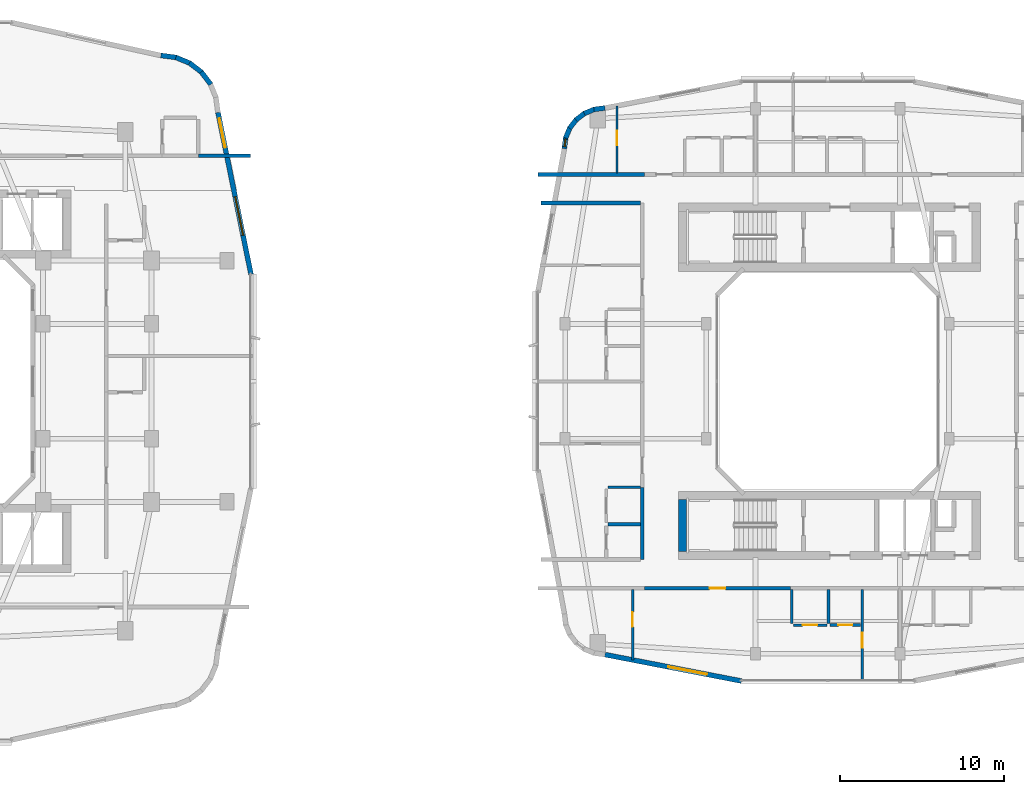
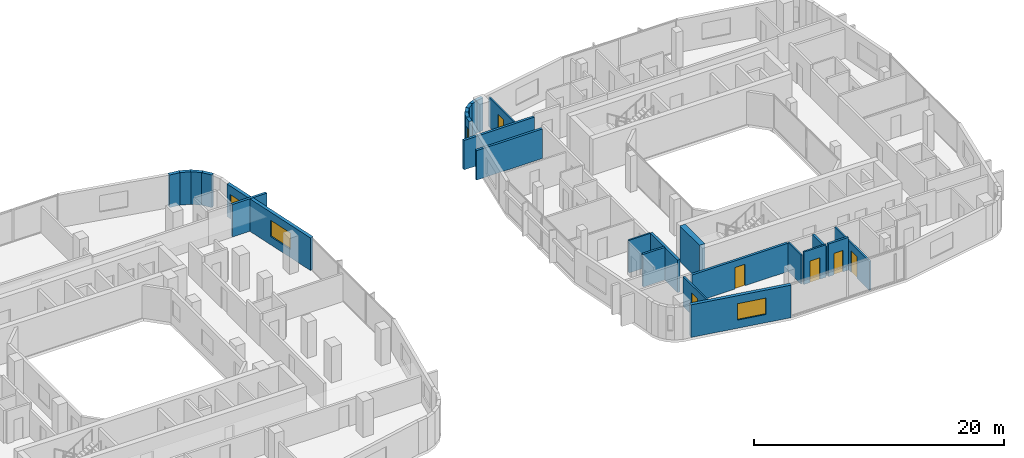
# One storey, part 16 of 25: 27 walls, 6 doors, 4 windows, 10 openings.
"""IFC4 building model written with IfcOpenShell, lengths in metres."""

from ifc_helpers import new_model, si_unit, derived_unit, direction, frame, frame_2d, origin, place, context, subcontext, project, spatial, rectangle, extrude, material, layer, layer_set, type_object, element, fill, save


model = new_model("IFC4")

# Units and contexts
model_context = context("Model", 3, precision=1e-05, world=origin(), true_north=direction((0.0, 1.0)))
body_context = subcontext(model_context, "Body", "Model", "MODEL_VIEW")
ifc_project = project(units=[si_unit("LENGTHUNIT", "METRE"), si_unit("AREAUNIT", "SQUARE_METRE"), si_unit("VOLUMEUNIT", "CUBIC_METRE"), si_unit("PLANEANGLEUNIT", "RADIAN"), si_unit("MASSUNIT", "GRAM", prefix="KILO"), derived_unit("THERMALTRANSMITTANCEUNIT", [(si_unit("POWERUNIT", "WATT"), 1), (si_unit("LENGTHUNIT", "METRE"), -2), (si_unit("THERMODYNAMICTEMPERATUREUNIT", "KELVIN"), -1)])], contexts=[model_context])

# Site, building, storey
site_placement = place(None, origin())
site = spatial("IfcSite", under=ifc_project, at=site_placement, CompositionType="ELEMENT")
building_placement = place(site_placement, origin())
building = spatial("IfcBuilding", under=site, at=building_placement, Name="Kivonza Crest Hotel", CompositionType="ELEMENT")
storey_placement = place(building_placement, frame((0.0, 0.0, 87.0)))
storey = spatial("IfcBuildingStorey", under=building, at=storey_placement, Name="L23", CompositionType="ELEMENT", Elevation=87.0)

# Walls
ifc_material_1 = material(Name="Autoclaved aerated concrete blockwork", Category="masonry")
ifc_layer_1 = layer(ifc_material_1, 0.219970703125)
ifc_layer_set_1 = layer_set([ifc_layer_1], Name="Autoclaved aerated concrete blockwork")
wall_type_1 = type_object("IfcWallType", Name="WL-ACOU-220", PredefinedType="SOLIDWALL", material=ifc_layer_set_1)
wall_1_placement = place(storey_placement, frame((38.64990234375, 38.75, 0.0), z_axis=(0.0, 0.0, 1.0), x_axis=(1.0, 0.0, 0.0)))
element("IfcWall", 1, at=wall_1_placement, inside=storey, type_object=wall_type_1, Name="L23 interior partition WA-L23-N02-XCORR", PredefinedType="SOLIDWALL", context=body_context, shape_type="SweptSolid", body=[
    extrude(rectangle(XDim=3.190185546875, YDim=0.219970703125, at=frame_2d((1.59521484375, 0.0))), origin(), (0.0, 0.0, 1.0), 3.179931640625),
])
wall_2_placement = place(storey_placement, frame((59.360107421875, 37.60009765625, 0.0), z_axis=(0.0, 0.0, 1.0), x_axis=(1.0, 0.0, 0.0)))
element("IfcWall", 2, at=wall_2_placement, inside=storey, type_object=wall_type_1, Name="L23 interior partition WA-L23-A01-LCORR", PredefinedType="SOLIDWALL", context=body_context, shape_type="SweptSolid", body=[
    extrude(rectangle(XDim=6.489990234375, YDim=0.219970703125, at=frame_2d((3.2451171875, 0.0))), origin(), (0.0, 0.0, 1.0), 2.875),
])

# Wall, opening, door
wall_3_placement = place(storey_placement, frame((65.85009765625, 12.39990234375, 0.0), z_axis=(0.0, 0.0, 1.0), x_axis=(1.0, 0.0, 0.0)))
wall_3 = element("IfcWall", 3, at=wall_3_placement, inside=storey, type_object=wall_type_1, Name="L23 interior partition WA-L23-A03-MCORR", PredefinedType="SOLIDWALL", context=body_context, shape_type="SweptSolid", body=[
    extrude(rectangle(XDim=8.869873046875, YDim=0.219970703125, at=frame_2d((4.43505859375, 0.0))), origin(), (0.0, 0.0, 1.0), 2.7548828125),
])
opening_1_placement = place(wall_3_placement, frame((3.9599609375, 0.0, 0.0)))
opening_1 = element("IfcOpeningElement", 4, at=opening_1_placement, cuts=wall_3, Name="Opening DU-60", PredefinedType="OPENING", context=body_context, shape_type="SweptSolid", body=[
    extrude(rectangle(XDim=0.949951171875, YDim=2.10009765625, at=frame_2d((0.47509765625, 1.050048828125))), frame((0.0, 0.1201171875, 0.0), z_axis=(0.0, -1.0, 0.0), x_axis=(1.0, 0.0, 0.0)), (0.0, 0.0, 1.0), 0.239990234375),
])
ifc_material_2 = material(Name="Hardwood timber oak", Category="wood")
door_type_1 = type_object("IfcDoorType", Name="DR-UNIT-950", OperationType="NOTDEFINED", PredefinedType="DOOR", material=ifc_material_2)
door_1_placement = place(opening_1_placement, frame((0.949951171875, 0.0, 0.0), z_axis=(0.0, 0.0, 1.0), x_axis=(-1.0, 0.0, 0.0)))
door_1 = element("IfcDoor", 5, at=door_1_placement, inside=storey, type_object=door_type_1, Name="L23 A03 apartment entrance fire door", OperationType="SINGLE_SWING_LEFT", OverallHeight=2.10009765625, OverallWidth=0.949951171875, PredefinedType="DOOR", context=body_context, shape_type="SweptSolid", body=[
    extrude(rectangle(XDim=0.949951171875, YDim=2.10009765625, at=frame_2d((0.47509765625, 1.050048828125))), frame((0.0, 0.02490234375, 0.0), z_axis=(0.0, -1.0, 0.0), x_axis=(1.0, 0.0, 0.0)), (0.0, 0.0, 1.0), 0.050048828125),
])
fill(opening_1, door_1)

# Walls
wall_4_placement = place(storey_placement, frame((59.52001953125, 35.860107421875, 0.0), z_axis=(0.0, 0.0, 1.0), x_axis=(1.0, 0.0, 0.0)))
element("IfcWall", 6, at=wall_4_placement, inside=storey, type_object=wall_type_1, Name="L23 interior partition WA-L23-T2W-ENDN", PredefinedType="SOLIDWALL", context=body_context, shape_type="SweptSolid", body=[
    extrude(rectangle(XDim=6.080078125, YDim=0.219970703125, at=frame_2d((3.0400390625, 0.0))), origin(), (0.0, 0.0, 1.0), 2.875),
])
wall_5_placement = place(storey_placement, frame((65.699951171875, 14.139892578125, 0.0), z_axis=(0.0, 0.0, 1.0), x_axis=(0.0, 1.0, 0.0)))
element("IfcWall", 7, at=wall_5_placement, inside=storey, type_object=wall_type_1, Name="L23 interior partition WA-L23-A05-BCORR", PredefinedType="SOLIDWALL", context=body_context, shape_type="SweptSolid", body=[
    extrude(rectangle(XDim=4.400146484375, YDim=0.219970703125, at=frame_2d((2.2001953125, 0.0))), origin(), (0.0, 0.0, 1.0), 3.179931640625),
])
ifc_material_3 = material(Name="Concrete C60/75", Category="concrete")
ifc_layer_2 = layer(ifc_material_3, 0.5)
ifc_layer_set_2 = layer_set([ifc_layer_2], Name="Concrete C60/75")
wall_type_2 = type_object("IfcWallType", Name="WL-CORE-500", PredefinedType="SHEAR", material=ifc_layer_set_2)
wall_6_placement = place(storey_placement, frame((68.14990234375, 14.639892578125, 0.0), z_axis=(0.0, 0.0, 1.0), x_axis=(0.0, 1.0, 0.0)))
element("IfcWall", 8, at=wall_6_placement, inside=storey, type_object=wall_type_2, Name="Core wall T2-S West L23", PredefinedType="SHEAR", context=body_context, shape_type="SweptSolid", body=[
    extrude(rectangle(XDim=3.16015625, YDim=0.5, at=frame_2d((1.580078125, 0.0))), origin(), (0.0, 0.0, 1.0), 3.5),
])

# Wall, openings, windows
ifc_material_4 = material(Name="Precast concrete C40/50", Category="concrete")
ifc_layer_3 = layer(ifc_material_4, 0.300048828125)
ifc_layer_set_3 = layer_set([ifc_layer_3], Name="Precast concrete C40/50")
wall_type_3 = type_object("IfcWallType", Name="WL-EXT-300", PredefinedType="STANDARD", material=ifc_layer_set_3)
wall_7_placement = place(storey_placement, frame((41.864013671875, 31.51611328125, 0.0), z_axis=(0.0, 0.0, 1.0), x_axis=(-0.199990901713, 0.979797754249, 0.0)))
wall_7 = element("IfcWall", 9, at=wall_7_placement, inside=storey, type_object=wall_type_3, Name="L23 T1 exterior insulated wall 18", PredefinedType="STANDARD", context=body_context, shape_type="SweptSolid", body=[
    extrude(rectangle(XDim=10.065185546875, YDim=0.300048828125, at=frame_2d((5.03271484375, 0.0))), origin(), (0.0, 0.0, 1.0), 3.179931640625),
])
opening_2_placement = place(wall_7_placement, frame((2.428955078125, 0.0, 0.800048828125)))
opening_2 = element("IfcOpeningElement", 10, at=opening_2_placement, cuts=wall_7, Name="Opening WN-05", PredefinedType="OPENING", context=body_context, shape_type="SweptSolid", body=[
    extrude(rectangle(XDim=2.39990234375, YDim=1.60009765625, at=frame_2d((1.199951171875, 0.800048828125))), frame((0.0, 0.16015625, 0.0), z_axis=(0.0, -1.0, 0.0), x_axis=(1.0, 0.0, 0.0)), (0.0, 0.0, 1.0), 0.320068359375),
])
opening_3_placement = place(wall_7_placement, frame((7.886962890625, 0.0, 0.85009765625)))
opening_3 = element("IfcOpeningElement", 11, at=opening_3_placement, cuts=wall_7, Name="Opening WN-03", PredefinedType="OPENING", context=body_context, shape_type="SweptSolid", body=[
    extrude(rectangle(XDim=1.800048828125, YDim=1.5, at=frame_2d((0.89990234375, 0.75))), frame((0.0, 0.16015625, 0.0), z_axis=(0.0, -1.0, 0.0), x_axis=(1.0, 0.0, 0.0)), (0.0, 0.0, 1.0), 0.320068359375),
])
ifc_material_5 = material(Name="Thermally broken bronze aluminium and low-E double glazing", Category="aluminium")
window_type_1 = type_object("IfcWindowType", Name="WN-180x150", PartitioningType="DOUBLE_PANEL_VERTICAL", PredefinedType="WINDOW", material=ifc_material_5)
window_1_placement = place(opening_3_placement, origin())
window_1 = element("IfcWindow", 12, at=window_1_placement, inside=storey, type_object=window_type_1, Name="L23 T1 facade window 18 bay 2", OverallHeight=1.5, OverallWidth=1.800048828125, PartitioningType="SINGLE_PANEL", PredefinedType="WINDOW", context=body_context, shape_type="SweptSolid", body=[
    extrude(rectangle(XDim=1.800048828125, YDim=1.5, at=frame_2d((0.89990234375, 0.75))), frame((0.0, 0.030029296875, 0.0), z_axis=(0.0, -1.0, 0.0), x_axis=(1.0, 0.0, 0.0)), (0.0, 0.0, 1.0), 0.06005859375),
])
fill(opening_3, window_1)
window_type_2 = type_object("IfcWindowType", Name="WN-240x160", PartitioningType="TRIPLE_PANEL_VERTICAL", PredefinedType="WINDOW", material=ifc_material_5)
window_2_placement = place(opening_2_placement, origin())
window_2 = element("IfcWindow", 13, at=window_2_placement, inside=storey, type_object=window_type_2, Name="L23 T1 facade window 18 bay 1", OverallHeight=1.60009765625, OverallWidth=2.39990234375, PartitioningType="SINGLE_PANEL", PredefinedType="WINDOW", context=body_context, shape_type="SweptSolid", body=[
    extrude(rectangle(XDim=2.39990234375, YDim=1.60009765625, at=frame_2d((1.199951171875, 0.800048828125))), frame((0.0, 0.030029296875, 0.0), z_axis=(0.0, -1.0, 0.0), x_axis=(1.0, 0.0, 0.0)), (0.0, 0.0, 1.0), 0.06005859375),
])
fill(opening_2, window_2)

# Walls
wall_8_placement = place(storey_placement, frame((39.4140625, 43.089111328125, 0.0), z_axis=(0.0, 0.0, 1.0), x_axis=(-0.608474481025, 0.793573440799, 0.0)))
element("IfcWall", 14, at=wall_8_placement, inside=storey, type_object=wall_type_3, Name="L23 T1 exterior insulated wall 21", PredefinedType="STANDARD", context=body_context, shape_type="SweptSolid", body=[
    extrude(rectangle(XDim=0.954833984375, YDim=0.300048828125, at=frame_2d((0.4775390625, 0.0))), origin(), (0.0, 0.0, 1.0), 3.179931640625),
])
wall_9_placement = place(storey_placement, frame((38.875, 43.81201171875, 0.0), z_axis=(0.0, 0.0, 1.0), x_axis=(-0.793668068435, 0.608351047625, 0.0)))
element("IfcWall", 15, at=wall_9_placement, inside=storey, type_object=wall_type_3, Name="L23 T1 exterior insulated wall 22", PredefinedType="STANDARD", context=body_context, shape_type="SweptSolid", body=[
    extrude(rectangle(XDim=0.955078125, YDim=0.300048828125, at=frame_2d((0.4775390625, 0.0))), origin(), (0.0, 0.0, 1.0), 3.179931640625),
])
wall_10_placement = place(storey_placement, frame((38.166015625, 44.368896484375, 0.0), z_axis=(0.0, 0.0, 1.0), x_axis=(-0.924019948111, 0.382344263057, 0.0)))
element("IfcWall", 16, at=wall_10_placement, inside=storey, type_object=wall_type_3, Name="L23 T1 exterior insulated wall 23", PredefinedType="STANDARD", context=body_context, shape_type="SweptSolid", body=[
    extrude(rectangle(XDim=0.95458984375, YDim=0.300048828125, at=frame_2d((0.477294921875, 0.0))), origin(), (0.0, 0.0, 1.0), 3.179931640625),
])
wall_11_placement = place(storey_placement, frame((37.3369140625, 44.72509765625, 0.0), z_axis=(0.0, 0.0, 1.0), x_axis=(-0.991454295543, 0.130454512571, 0.0)))
element("IfcWall", 17, at=wall_11_placement, inside=storey, type_object=wall_type_3, Name="L23 T1 exterior insulated wall 24", PredefinedType="STANDARD", context=body_context, shape_type="SweptSolid", body=[
    extrude(rectangle(XDim=0.97314453125, YDim=0.300048828125, at=frame_2d((0.486572265625, 0.0))), origin(), (0.0, 0.0, 1.0), 3.179931640625),
])

# Wall, opening, window
wall_12_placement = place(storey_placement, frame((63.4208984375, 8.34912109375, 0.0), z_axis=(0.0, 0.0, 1.0), x_axis=(0.981750199588, -0.190175039396, 0.0)))
wall_12 = element("IfcWall", 18, at=wall_12_placement, inside=storey, type_object=wall_type_3, Name="L23 T2 exterior insulated wall 7", PredefinedType="STANDARD", context=body_context, shape_type="SweptSolid", body=[
    extrude(rectangle(XDim=8.476806640625, YDim=0.300048828125, at=frame_2d((4.23828125, 0.0))), origin(), (0.0, 0.0, 1.0), 3.179931640625),
])
opening_4_placement = place(wall_12_placement, frame((3.93701171875, 0.0, 0.800048828125)))
opening_4 = element("IfcOpeningElement", 19, at=opening_4_placement, cuts=wall_12, Name="Opening WN-05", PredefinedType="OPENING", context=body_context, shape_type="SweptSolid", body=[
    extrude(rectangle(XDim=2.39990234375, YDim=1.60009765625, at=frame_2d((1.199951171875, 0.800048828125))), frame((0.0, 0.16015625, 0.0), z_axis=(0.0, -1.0, 0.0), x_axis=(1.0, 0.0, 0.0)), (0.0, 0.0, 1.0), 0.320068359375),
])
window_3_placement = place(opening_4_placement, origin())
window_3 = element("IfcWindow", 20, at=window_3_placement, inside=storey, type_object=window_type_2, Name="L23 T2 facade window 7", OverallHeight=1.60009765625, OverallWidth=2.39990234375, PartitioningType="SINGLE_PANEL", PredefinedType="WINDOW", context=body_context, shape_type="SweptSolid", body=[
    extrude(rectangle(XDim=2.39990234375, YDim=1.60009765625, at=frame_2d((1.199951171875, 0.800048828125))), frame((0.0, 0.030029296875, 0.0), z_axis=(0.0, -1.0, 0.0), x_axis=(1.0, 0.0, 0.0)), (0.0, 0.0, 1.0), 0.06005859375),
])
fill(opening_4, window_3)

# Walls
wall_13_placement = place(storey_placement, frame((63.427978515625, 41.652099609375, 0.0), z_axis=(0.0, 0.0, 1.0), x_axis=(-0.991293937098, -0.131667498923, 0.0)))
element("IfcWall", 21, at=wall_13_placement, inside=storey, type_object=wall_type_3, Name="L23 T2 exterior insulated wall 28", PredefinedType="STANDARD", context=body_context, shape_type="SweptSolid", body=[
    extrude(rectangle(XDim=0.6767578125, YDim=0.300048828125, at=frame_2d((0.33837890625, 0.0))), origin(), (0.0, 0.0, 1.0), 3.179931640625),
])
wall_14_placement = place(storey_placement, frame((62.806884765625, 41.58203125, 0.0), z_axis=(0.0, 0.0, 1.0), x_axis=(-0.924042561464, -0.382289608286, 0.0)))
element("IfcWall", 22, at=wall_14_placement, inside=storey, type_object=wall_type_3, Name="L23 T2 exterior insulated wall 29", PredefinedType="STANDARD", context=body_context, shape_type="SweptSolid", body=[
    extrude(rectangle(XDim=0.693603515625, YDim=0.300048828125, at=frame_2d((0.3466796875, 0.0))), origin(), (0.0, 0.0, 1.0), 3.179931640625),
])
for number, where, z_axis, x_axis, name in (
    (23, (62.2109375, 41.347900390625, 0.0), (0.0, 0.0, 1.0), (-0.792807092876, -0.609472651958, 0.0), "L23 T2 exterior insulated wall 30"),
    (24, (61.696044921875, 40.967041015625, 0.0), (0.0, 0.0, 1.0), (-0.609693758543, -0.792637067512, 0.0), "L23 T2 exterior insulated wall 31"),
    (25, (61.297119140625, 40.466064453125, 0.0), (0.0, 0.0, 1.0), (-0.382165294877, -0.924093981904, 0.0), "L23 T2 exterior insulated wall 32"),
):
    element("IfcWall", number, at=place(storey_placement, frame(where, z_axis=z_axis, x_axis=x_axis)), inside=storey, type_object=wall_type_3, Name=name, PredefinedType="STANDARD", context=body_context, shape_type="SweptSolid", body=[
        extrude(rectangle(XDim=0.69384765625, YDim=0.300048828125, at=frame_2d((0.346923828125, 0.0))), origin(), (0.0, 0.0, 1.0), 3.179931640625),
    ])

# Wall, opening, window
wall_15_placement = place(storey_placement, frame((61.041015625, 39.8779296875, 0.0), z_axis=(0.0, 0.0, 1.0), x_axis=(-0.130658543777, -0.991427427974, 0.0)))
wall_15 = element("IfcWall", 26, at=wall_15_placement, inside=storey, type_object=wall_type_3, Name="L23 T2 exterior insulated wall 33", PredefinedType="STANDARD", context=body_context, shape_type="SweptSolid", body=[
    extrude(rectangle(XDim=0.7119140625, YDim=0.300048828125, at=frame_2d((0.35595703125, 0.0))), origin(), (0.0, 0.0, 1.0), 3.179931640625),
])
opening_5_placement = place(wall_15_placement, frame((0.131103515625, 0.0, 0.85009765625)))
opening_5 = element("IfcOpeningElement", 27, at=opening_5_placement, cuts=wall_15, Name="Opening WN-11", PredefinedType="OPENING", context=body_context, shape_type="SweptSolid", body=[
    extrude(rectangle(XDim=0.449951171875, YDim=1.5, at=frame_2d((0.22509765625, 0.75))), frame((0.0, 0.16015625, 0.0), z_axis=(0.0, -1.0, 0.0), x_axis=(1.0, 0.0, 0.0)), (0.0, 0.0, 1.0), 0.320068359375),
])
window_type_3 = type_object("IfcWindowType", Name="WN-045x150", PartitioningType="SINGLE_PANEL", PredefinedType="WINDOW", material=ifc_material_5)
window_4_placement = place(opening_5_placement, origin())
window_4 = element("IfcWindow", 28, at=window_4_placement, inside=storey, type_object=window_type_3, Name="L23 corner vision window 1", OverallHeight=1.5, OverallWidth=0.449951171875, PartitioningType="SINGLE_PANEL", PredefinedType="WINDOW", context=body_context, shape_type="SweptSolid", body=[
    extrude(rectangle(XDim=0.449951171875, YDim=1.5, at=frame_2d((0.22509765625, 0.75))), frame((0.0, 0.030029296875, 0.0), z_axis=(0.0, -1.0, 0.0), x_axis=(1.0, 0.0, 0.0)), (0.0, 0.0, 1.0), 0.06005859375),
])
fill(opening_5, window_4)

# Wall, opening, door
ifc_material_6 = material(Name="Twin-stud acoustic gypsum board partition", Category="gypsum")
ifc_layer_4 = layer(ifc_material_6, 0.14990234375)
ifc_layer_set_4 = layer_set([ifc_layer_4], Name="Twin-stud acoustic gypsum board partition")
wall_type_4 = type_object("IfcWallType", Name="WL-PART-150", PredefinedType="PARTITIONING", material=ifc_layer_set_4)
wall_16_placement = place(storey_placement, frame((64.159912109375, 37.699951171875, 0.0), z_axis=(0.0, 0.0, 1.0), x_axis=(0.0, 1.0, 0.0)))
wall_16 = element("IfcWall", 29, at=wall_16_placement, inside=storey, type_object=wall_type_4, Name="L23 interior partition WP-L23-A01-BDW1", PredefinedType="PARTITIONING", context=body_context, shape_type="SweptSolid", body=[
    extrude(rectangle(XDim=4.0859375, YDim=0.14990234375, at=frame_2d((2.04296875, 0.0))), origin(), (0.0, 0.0, 1.0), 2.875),
])
opening_6_placement = place(wall_16_placement, frame((1.679931640625, 0.0, 0.0)))
opening_6 = element("IfcOpeningElement", 30, at=opening_6_placement, cuts=wall_16, Name="Opening DI-90", PredefinedType="OPENING", context=body_context, shape_type="SweptSolid", body=[
    extrude(rectangle(XDim=0.89990234375, YDim=2.10009765625, at=frame_2d((0.449951171875, 1.050048828125))), frame((0.0, 0.0849609375, 0.0), z_axis=(0.0, -1.0, 0.0), x_axis=(1.0, 0.0, 0.0)), (0.0, 0.0, 1.0), 0.169921875),
])
door_type_2 = type_object("IfcDoorType", Name="DR-INT-900", OperationType="NOTDEFINED", PredefinedType="DOOR", material=ifc_material_2)
door_2_placement = place(opening_6_placement, origin())
door_2 = element("IfcDoor", 31, at=door_2_placement, inside=storey, type_object=door_type_2, Name="L23 A01 bedroom 1 door", OperationType="SINGLE_SWING_RIGHT", OverallHeight=2.10009765625, OverallWidth=0.89990234375, PredefinedType="DOOR", context=body_context, shape_type="SweptSolid", body=[
    extrude(rectangle(XDim=0.89990234375, YDim=2.10009765625, at=frame_2d((0.449951171875, 1.050048828125))), frame((0.0, 0.02490234375, 0.0), z_axis=(0.0, -1.0, 0.0), x_axis=(1.0, 0.0, 0.0)), (0.0, 0.0, 1.0), 0.050048828125),
])
fill(opening_6, door_2)

wall_17_placement = place(storey_placement, frame((65.110107421875, 8.030029296875, 0.0), z_axis=(0.0, 0.0, 1.0), x_axis=(0.0, 1.0, 0.0)))
wall_17 = element("IfcWall", 32, at=wall_17_placement, inside=storey, type_object=wall_type_4, Name="L23 interior partition WP-L23-A03-BDW1", PredefinedType="PARTITIONING", context=body_context, shape_type="SweptSolid", body=[
    extrude(rectangle(XDim=4.27001953125, YDim=0.14990234375, at=frame_2d((2.135009765625, 0.0))), origin(), (0.0, 0.0, 1.0), 2.875),
])
opening_7_placement = place(wall_17_placement, frame((2.010009765625, 0.0, 0.0)))
opening_7 = element("IfcOpeningElement", 33, at=opening_7_placement, cuts=wall_17, Name="Opening DI-90", PredefinedType="OPENING", context=body_context, shape_type="SweptSolid", body=[
    extrude(rectangle(XDim=0.89990234375, YDim=2.10009765625, at=frame_2d((0.449951171875, 1.050048828125))), frame((0.0, 0.0849609375, 0.0), z_axis=(0.0, -1.0, 0.0), x_axis=(1.0, 0.0, 0.0)), (0.0, 0.0, 1.0), 0.169921875),
])
door_3_placement = place(opening_7_placement, origin())
door_3 = element("IfcDoor", 34, at=door_3_placement, inside=storey, type_object=door_type_2, Name="L23 A03 bedroom 1 door", OperationType="SINGLE_SWING_RIGHT", OverallHeight=2.10009765625, OverallWidth=0.89990234375, PredefinedType="DOOR", context=body_context, shape_type="SweptSolid", body=[
    extrude(rectangle(XDim=0.89990234375, YDim=2.10009765625, at=frame_2d((0.449951171875, 1.050048828125))), frame((0.0, 0.02490234375, 0.0), z_axis=(0.0, -1.0, 0.0), x_axis=(1.0, 0.0, 0.0)), (0.0, 0.0, 1.0), 0.050048828125),
])
fill(opening_7, door_3)

wall_18_placement = place(storey_placement, frame((79.10009765625, 6.760009765625, 0.0), z_axis=(0.0, 0.0, 1.0), x_axis=(0.0, 1.0, 0.0)))
wall_18 = element("IfcWall", 35, at=wall_18_placement, inside=storey, type_object=wall_type_4, Name="L23 interior partition WP-L23-A03-BDW2", PredefinedType="PARTITIONING", context=body_context, shape_type="SweptSolid", body=[
    extrude(rectangle(XDim=5.5400390625, YDim=0.14990234375, at=frame_2d((2.77001953125, 0.0))), origin(), (0.0, 0.0, 1.0), 2.824951171875),
])
opening_8_placement = place(wall_18_placement, frame((2.010009765625, 0.0, 0.0)))
opening_8 = element("IfcOpeningElement", 36, at=opening_8_placement, cuts=wall_18, Name="Opening DI-90", PredefinedType="OPENING", context=body_context, shape_type="SweptSolid", body=[
    extrude(rectangle(XDim=0.89990234375, YDim=2.10009765625, at=frame_2d((0.449951171875, 1.050048828125))), frame((0.0, 0.0849609375, 0.0), z_axis=(0.0, -1.0, 0.0), x_axis=(1.0, 0.0, 0.0)), (0.0, 0.0, 1.0), 0.169921875),
])
door_4_placement = place(opening_8_placement, origin())
door_4 = element("IfcDoor", 37, at=door_4_placement, inside=storey, type_object=door_type_2, Name="L23 A03 bedroom 2 door", OperationType="SINGLE_SWING_LEFT", OverallHeight=2.10009765625, OverallWidth=0.89990234375, PredefinedType="DOOR", context=body_context, shape_type="SweptSolid", body=[
    extrude(rectangle(XDim=0.89990234375, YDim=2.10009765625, at=frame_2d((0.449951171875, 1.050048828125))), frame((0.0, 0.02490234375, 0.0), z_axis=(0.0, -1.0, 0.0), x_axis=(1.0, 0.0, 0.0)), (0.0, 0.0, 1.0), 0.050048828125),
])
fill(opening_8, door_4)

# Wall
wall_19_placement = place(storey_placement, frame((74.800048828125, 10.25, 0.0), z_axis=(0.0, 0.0, 1.0), x_axis=(0.0, 1.0, 0.0)))
element("IfcWall", 38, at=wall_19_placement, inside=storey, type_object=wall_type_4, Name="L23 interior partition WP-L23-A03-KF", PredefinedType="PARTITIONING", context=body_context, shape_type="SweptSolid", body=[
    extrude(rectangle(XDim=2.050048828125, YDim=0.14990234375, at=frame_2d((1.02490234375, 0.0))), origin(), (0.0, 0.0, 1.0), 2.824951171875),
])

# Wall, opening, door
wall_20_placement = place(storey_placement, frame((74.89990234375, 10.14990234375, 0.0), z_axis=(0.0, 0.0, 1.0), x_axis=(1.0, 0.0, 0.0)))
wall_20 = element("IfcWall", 39, at=wall_20_placement, inside=storey, type_object=wall_type_4, Name="L23 interior partition WP-L23-A03-KSVC", PredefinedType="PARTITIONING", context=body_context, shape_type="SweptSolid", body=[
    extrude(rectangle(XDim=2.050048828125, YDim=0.14990234375, at=frame_2d((1.02490234375, 0.0))), origin(), (0.0, 0.0, 1.0), 3.179931640625),
])
opening_9_placement = place(wall_20_placement, frame((0.574951171875, 0.0, 0.0)))
opening_9 = element("IfcOpeningElement", 40, at=opening_9_placement, cuts=wall_20, Name="Opening DI-90", PredefinedType="OPENING", context=body_context, shape_type="SweptSolid", body=[
    extrude(rectangle(XDim=0.89990234375, YDim=2.10009765625, at=frame_2d((0.449951171875, 1.050048828125))), frame((0.0, 0.0849609375, 0.0), z_axis=(0.0, -1.0, 0.0), x_axis=(1.0, 0.0, 0.0)), (0.0, 0.0, 1.0), 0.169921875),
])
door_5_placement = place(opening_9_placement, frame((0.89990234375, 0.0, 0.0), z_axis=(0.0, 0.0, 1.0), x_axis=(-1.0, 0.0, 0.0)))
door_5 = element("IfcDoor", 41, at=door_5_placement, inside=storey, type_object=door_type_2, Name="L23 A03 apartment kitchen door", OperationType="SINGLE_SWING_LEFT", OverallHeight=2.10009765625, OverallWidth=0.89990234375, PredefinedType="DOOR", context=body_context, shape_type="SweptSolid", body=[
    extrude(rectangle(XDim=0.89990234375, YDim=2.10009765625, at=frame_2d((0.449951171875, 1.050048828125))), frame((0.0, 0.02490234375, 0.0), z_axis=(0.0, -1.0, 0.0), x_axis=(1.0, 0.0, 0.0)), (0.0, 0.0, 1.0), 0.050048828125),
])
fill(opening_9, door_5)

# Walls
wall_21_placement = place(storey_placement, frame((63.60009765625, 18.5400390625, 0.0), z_axis=(0.0, 0.0, 1.0), x_axis=(1.0, 0.0, 0.0)))
element("IfcWall", 42, at=wall_21_placement, inside=storey, type_object=wall_type_4, Name="L23 interior partition WP-L23-A05-KF", PredefinedType="PARTITIONING", context=body_context, shape_type="SweptSolid", body=[
    extrude(rectangle(XDim=2.0, YDim=0.14990234375, at=frame_2d((1.0, 0.0))), origin(), (0.0, 0.0, 1.0), 3.179931640625),
])
ifc_material_7 = material(Name="Moisture-resistant plumbing chase partition wall", Category="gypsum")
ifc_layer_5 = layer(ifc_material_7, 0.199951171875)
ifc_layer_set_5 = layer_set([ifc_layer_5], Name="Moisture-resistant plumbing chase partition wall")
wall_type_5 = type_object("IfcWallType", Name="WL-PLUMB-200", PredefinedType="PLUMBINGWALL", material=ifc_layer_set_5)
wall_22_placement = place(storey_placement, frame((77.050048828125, 10.25, 0.0), z_axis=(0.0, 0.0, 1.0), x_axis=(0.0, 1.0, 0.0)))
element("IfcWall", 43, at=wall_22_placement, inside=storey, type_object=wall_type_5, Name="L23 interior partition WW-L23-A03-BK", PredefinedType="PLUMBINGWALL", context=body_context, shape_type="SweptSolid", body=[
    extrude(rectangle(XDim=2.050048828125, YDim=0.199951171875, at=frame_2d((1.02490234375, 0.0))), origin(), (0.0, 0.0, 1.0), 2.824951171875),
])

# Wall, opening, door
wall_23_placement = place(storey_placement, frame((77.14990234375, 10.14990234375, 0.0), z_axis=(0.0, 0.0, 1.0), x_axis=(1.0, 0.0, 0.0)))
wall_23 = element("IfcWall", 44, at=wall_23_placement, inside=storey, type_object=wall_type_5, Name="L23 interior partition WW-L23-A03-BSVC", PredefinedType="PLUMBINGWALL", context=body_context, shape_type="SweptSolid", body=[
    extrude(rectangle(XDim=1.85009765625, YDim=0.199951171875, at=frame_2d((0.925048828125, 0.0))), origin(), (0.0, 0.0, 1.0), 3.179931640625),
])
opening_10_placement = place(wall_23_placement, frame((0.5, 0.0, 0.0)))
opening_10 = element("IfcOpeningElement", 45, at=opening_10_placement, cuts=wall_23, Name="Opening DI-85", PredefinedType="OPENING", context=body_context, shape_type="SweptSolid", body=[
    extrude(rectangle(XDim=0.85009765625, YDim=2.10009765625, at=frame_2d((0.425048828125, 1.050048828125))), frame((0.0, 0.10986328125, 0.0), z_axis=(0.0, -1.0, 0.0), x_axis=(1.0, 0.0, 0.0)), (0.0, 0.0, 1.0), 0.219970703125),
])
door_type_3 = type_object("IfcDoorType", Name="DR-INT-850", OperationType="NOTDEFINED", PredefinedType="DOOR", material=ifc_material_2)
door_6_placement = place(opening_10_placement, frame((0.85009765625, 0.0, 0.0), z_axis=(0.0, 0.0, 1.0), x_axis=(-1.0, 0.0, 0.0)))
door_6 = element("IfcDoor", 46, at=door_6_placement, inside=storey, type_object=door_type_3, Name="L23 A03 apartment bathroom door", OperationType="SINGLE_SWING_RIGHT", OverallHeight=2.10009765625, OverallWidth=0.85009765625, PredefinedType="DOOR", context=body_context, shape_type="SweptSolid", body=[
    extrude(rectangle(XDim=0.85009765625, YDim=2.10009765625, at=frame_2d((0.425048828125, 1.050048828125))), frame((0.0, 0.02490234375, 0.0), z_axis=(0.0, -1.0, 0.0), x_axis=(1.0, 0.0, 0.0)), (0.0, 0.0, 1.0), 0.050048828125),
])
fill(opening_10, door_6)

# Wall
wall_24_placement = place(storey_placement, frame((63.60009765625, 16.2900390625, 0.0), z_axis=(0.0, 0.0, 1.0), x_axis=(1.0, 0.0, 0.0)))
element("IfcWall", 47, at=wall_24_placement, inside=storey, type_object=wall_type_5, Name="L23 interior partition WW-L23-A05-BK", PredefinedType="PLUMBINGWALL", context=body_context, shape_type="SweptSolid", body=[
    extrude(rectangle(XDim=2.0, YDim=0.199951171875, at=frame_2d((1.0, 0.0))), origin(), (0.0, 0.0, 1.0), 3.179931640625),
])

save(model, "model.ifc")
